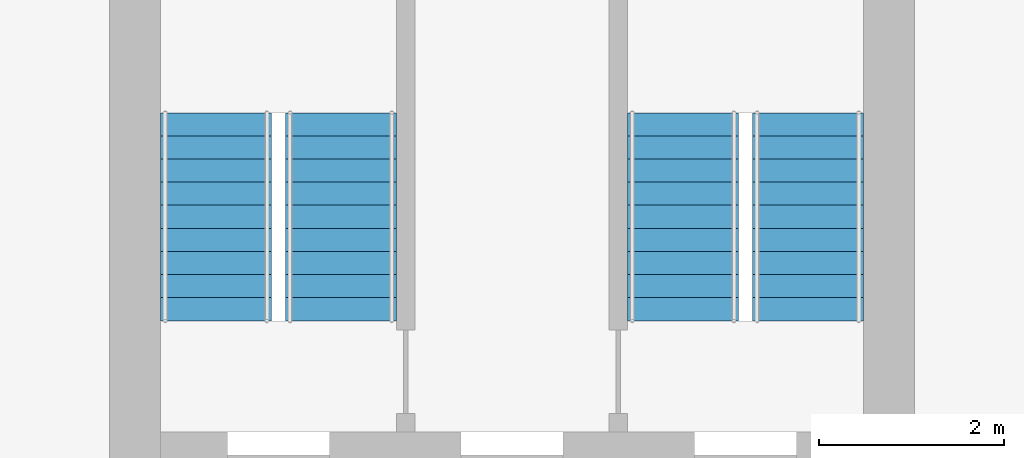
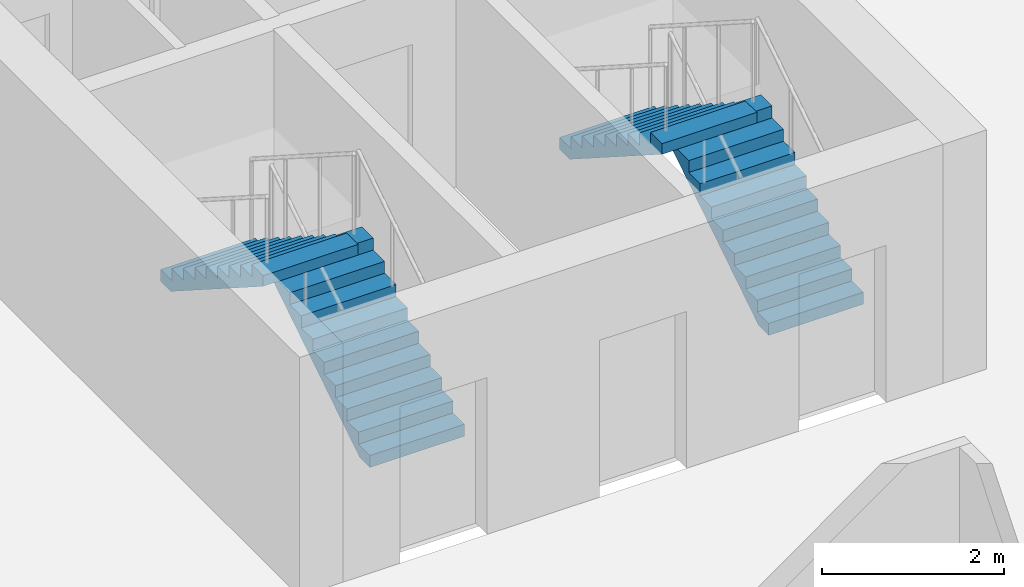
# One storey, part 10 of 13: 4 stair flights, 2 elements without a shape of their own.
"""IFC4 building model written with IfcOpenShell, lengths in metres."""

import ifcopenshell
import ifcopenshell.guid

model = None  # the IFC model being written
_history = None  # IfcOwnerHistory: only IFC2X3 demands one
_inside = {}  # id of a spatial element -> (the spatial element, [elements in it])
_under = {}  # id of a project, library or spatial element -> (it, [spatial elements below it])
_declared = {}  # id of a project -> (the project, [libraries it declares])
_typed = {}  # id of a type object -> (the type object, [elements of that type])
_made_of = {}  # id of a material, layer set ... -> (it, [elements and type objects made of it])


def new_model(schema):
    """Start an empty IFC model of exactly this schema.

    Asked for "IFC4X3", IfcOpenShell would pick the latest addendum, in which some entities
    have other attributes; the version numbers below select the first issue.
    IFC2X3 requires an IfcOwnerHistory on every rooted entity: one is made here for all.
    """
    global model, _history
    if schema == "IFC4X3":
        model = ifcopenshell.file(schema_version=(4, 3, 0, 0))
    else:
        model = ifcopenshell.file(schema=schema)
    _inside.clear()
    _under.clear()
    _declared.clear()
    _typed.clear()
    _made_of.clear()
    _history = None
    if model.schema == "IFC2X3":
        org = make("IfcOrganization", Name="unknown")
        user = make(
            "IfcPersonAndOrganization",
            ThePerson=make("IfcPerson", FamilyName="unknown"),
            TheOrganization=org,
        )
        app = make(
            "IfcApplication",
            ApplicationDeveloper=org,
            Version="unknown",
            ApplicationFullName="unknown",
            ApplicationIdentifier="unknown",
        )
        _history = make(
            "IfcOwnerHistory",
            OwningUser=user,
            OwningApplication=app,
            ChangeAction="ADDED",
            CreationDate=0,
        )
    return model


def make(cls, **values):
    """One entity of the class cls with the attributes given. An attribute that is None is left unset."""
    return model.create_entity(
        cls, **{name: value for name, value in values.items() if value is not None}
    )


def rooted(cls, **values):
    """An entity with a GlobalId (a new one), such as an element, a storey or a relation."""
    return make(cls, GlobalId=ifcopenshell.guid.new(), OwnerHistory=_history, **values)


def si_unit(unit_type, name, prefix=None):
    """IfcSIUnit, for example si_unit("LENGTHUNIT", "METRE", prefix="MILLI")."""
    return make("IfcSIUnit", UnitType=unit_type, Prefix=prefix, Name=name)


def assignment(units):
    """IfcUnitAssignment: the units of a project."""
    return None if units is None else make("IfcUnitAssignment", Units=units)


def point(xyz):
    """IfcCartesianPoint."""
    return None if xyz is None else make("IfcCartesianPoint", Coordinates=xyz)


def direction(xyz):
    """IfcDirection."""
    return None if xyz is None else make("IfcDirection", DirectionRatios=xyz)


def frame(location, z_axis=None, x_axis=None):
    """IfcAxis2Placement3D, a coordinate frame: its origin and axes. An axis left out is left unset."""
    return make(
        "IfcAxis2Placement3D",
        Location=point(location),
        Axis=direction(z_axis),
        RefDirection=direction(x_axis),
    )


def origin():
    """The frame at (0, 0, 0) with its axes left unset."""
    return frame((0.0, 0.0, 0.0))


def place(relative_to, where):
    """IfcLocalPlacement: puts the frame where relative to a parent placement (None: the world)."""
    return make(
        "IfcLocalPlacement", PlacementRelTo=relative_to, RelativePlacement=where
    )


def context(
    kind, dimensions, precision=None, world=None, true_north=None, identifier=None
):
    """IfcGeometricRepresentationContext, for example the 3D "Model" context."""
    return make(
        "IfcGeometricRepresentationContext",
        ContextIdentifier=identifier,
        ContextType=kind,
        CoordinateSpaceDimension=dimensions,
        Precision=precision,
        WorldCoordinateSystem=world,
        TrueNorth=true_north,
    )


def subcontext(parent, identifier, kind, view, scale=None):
    """IfcGeometricRepresentationSubContext, for example "Body" below "Model"."""
    return make(
        "IfcGeometricRepresentationSubContext",
        ContextIdentifier=identifier,
        ContextType=kind,
        ParentContext=parent,
        TargetScale=scale,
        TargetView=view,
    )


def project(units=None, contexts=None):
    """IfcProject with its units and contexts."""
    return rooted(
        "IfcProject",
        Name="project",
        RepresentationContexts=contexts,
        UnitsInContext=assignment(units),
    )


def spatial(cls, under=None, at=None, **own):
    """A site, building, storey or space (cls), placed at a placement, below another one or the project."""
    s = rooted(cls, ObjectPlacement=at, **own)
    if under is not None:
        _under.setdefault(under.id(), (under, []))[1].append(s)
    return s


def polyline(points):
    """IfcPolyline through the points."""
    return make("IfcPolyline", Points=[point(p) for p in points])


def outline(outer, holes=None, kind="AREA"):
    """IfcArbitraryClosedProfileDef: a profile drawn as a closed curve; with holes, ...WithVoids."""
    if holes is None:
        return make("IfcArbitraryClosedProfileDef", ProfileType=kind, OuterCurve=outer)
    return make(
        "IfcArbitraryProfileDefWithVoids",
        ProfileType=kind,
        OuterCurve=outer,
        InnerCurves=holes,
    )


def extrude(swept, where, along, depth):
    """IfcExtrudedAreaSolid: the profile swept, set in the frame where, extruded along a direction by depth."""
    return make(
        "IfcExtrudedAreaSolid",
        SweptArea=swept,
        Position=where,
        ExtrudedDirection=direction(along),
        Depth=depth,
    )


def shape(context_of_items, identifier, shape_type, items):
    """IfcShapeRepresentation: the items that make up one representation, for example the "Body"."""
    return make(
        "IfcShapeRepresentation",
        ContextOfItems=context_of_items,
        RepresentationIdentifier=identifier,
        RepresentationType=shape_type,
        Items=items,
    )


def material(Name=None, Category=None):
    """IfcMaterial."""
    return make("IfcMaterial", Name=Name, Category=Category)


def made_of(thing, what):
    """Note that an element or type object is made of a material, layer set ...; save() writes the relation."""
    if what is not None:
        _made_of.setdefault(what.id(), (what, []))[1].append(thing)
    return thing


def type_object(cls, material=None, **own):
    """A type object (cls), such as IfcWallType, which elements share."""
    return made_of(rooted(cls, **own), material)


def element(
    cls,
    number,
    at=None,
    inside=None,
    cuts=None,
    type_object=None,
    material=None,
    context=None,
    identifier="Body",
    shape_type=None,
    held_by="IfcProductDefinitionShape",
    body=None,
    shapes=None,
    **own,
):
    """One element of the class cls, such as IfcWall. Its Tag is "e" and its number.

    at: its placement. inside: the storey or other place that contains it. cuts: it is an
    opening in that element (IfcRelVoidsElement). A single representation is given by context,
    identifier, shape_type and body (its items); several are given by shapes. held_by: the class
    of the entity that holds the representations. save() writes the other relations.
    """
    e = rooted(cls, Tag="e%d" % number, ObjectPlacement=at, **own)
    if body is not None:
        shapes = [shape(context, identifier, shape_type, body)]
    if shapes is not None:
        e.Representation = make(held_by, Representations=shapes)
    if inside is not None:
        _inside.setdefault(inside.id(), (inside, []))[1].append(e)
    if cuts is not None:
        rooted(
            "IfcRelVoidsElement", RelatingBuildingElement=cuts, RelatedOpeningElement=e
        )
    if type_object is not None:
        _typed.setdefault(type_object.id(), (type_object, []))[1].append(e)
    return made_of(e, material)


def aggregate(whole, parts):
    """IfcRelAggregates: a whole, such as a stair, and the parts it consists of."""
    return rooted("IfcRelAggregates", RelatingObject=whole, RelatedObjects=parts)


def save(model, path):
    """Write the relations noted so far, then the file.

    IfcRelAggregates (storeys below a building ...), IfcRelContainedInSpatialStructure (elements
    in a storey), IfcRelDefinesByType, IfcRelAssociatesMaterial and IfcRelDeclares: one each for
    every whole, place, type object, material and project.
    """
    for whole, parts in _under.values():
        aggregate(whole, parts)
    for where, things in _inside.values():
        rooted(
            "IfcRelContainedInSpatialStructure",
            RelatedElements=things,
            RelatingStructure=where,
        )
    for kind, things in _typed.values():
        rooted("IfcRelDefinesByType", RelatedObjects=things, RelatingType=kind)
    for what, things in _made_of.values():
        rooted("IfcRelAssociatesMaterial", RelatedObjects=things, RelatingMaterial=what)
    for by, libraries in _declared.values():
        rooted("IfcRelDeclares", RelatingContext=by, RelatedDefinitions=libraries)
    model.write(path)


model = new_model("IFC4")

# Units and contexts
model_context = context("Model", 3, precision=1e-05, world=origin(), true_north=direction((0.0, 1.0)))
body_context = subcontext(model_context, "Body", "Model", "MODEL_VIEW")
ifc_project = project(units=[si_unit("LENGTHUNIT", "METRE"), si_unit("AREAUNIT", "SQUARE_METRE"), si_unit("VOLUMEUNIT", "CUBIC_METRE"), si_unit("PLANEANGLEUNIT", "RADIAN"), si_unit("MASSUNIT", "GRAM", prefix="KILO")], contexts=[model_context])

# Site, building, storey
site_placement = place(None, origin())
site = spatial("IfcSite", under=ifc_project, at=site_placement, CompositionType="ELEMENT")
building_placement = place(site_placement, origin())
building = spatial("IfcBuilding", under=site, at=building_placement, Name="Girih Gate Residences", CompositionType="ELEMENT")
storey_placement = place(building_placement, frame((0.0, 0.0, 96.0)))
storey = spatial("IfcBuildingStorey", under=building, at=storey_placement, Name="L26", CompositionType="ELEMENT", Elevation=96.0)

# Stair, stair flights
ifc_material = material(Name="Concrete C40/50", Category="concrete")
stair_type = type_object("IfcStairType", Name="Exit stair", PredefinedType="HALF_TURN_STAIR", material=ifc_material)
stair_1_placement = place(storey_placement, origin())
stair_1 = element("IfcStair", 1, at=stair_1_placement, inside=storey, type_object=stair_type, Name="L26 Exit Stair ST-E1", PredefinedType="HALF_TURN_STAIR")
stair_flight_type = type_object("IfcStairFlightType", Name="Stair flight 1200", PredefinedType="STRAIGHT", material=ifc_material)
stair_flight_1_placement = place(storey_placement, frame((43.699951171875, 28.89990234375, 0.0), z_axis=(0.0, 0.0, 1.0), x_axis=(0.0, 1.0, 0.0)))
stair_flight_1 = element("IfcStairFlight", 2, at=stair_flight_1_placement, type_object=stair_flight_type, Name="ST-E1 flight 1", NumberOfRisers=10, NumberOfTreads=9, PredefinedType="STRAIGHT", RiserHeight=0.16, TreadLength=0.25, context=body_context, shape_type="SweptSolid", body=[
    extrude(outline(polyline([(0.0, 0.0), (0.0, 0.159912109375), (0.25, 0.159912109375), (0.25, 0.320068359375), (0.5, 0.320068359375), (0.5, 0.47998046875), (0.75, 0.47998046875), (0.75, 0.639892578125), (1.0, 0.639892578125), (1.0, 0.800048828125), (1.25, 0.800048828125), (1.25, 0.9599609375), (1.5, 0.9599609375), (1.5, 1.1201171875), (1.75, 1.1201171875), (1.75, 1.280029296875), (2.0, 1.280029296875), (2.0, 1.43994140625), (2.25, 1.43994140625), (2.25, 1.60009765625), (2.25, 1.29736328125), (0.222900390625, 0.0), (0.0, 0.0)])), frame((0.0, 0.60009765625, 0.0), z_axis=(0.0, -1.0, 0.0), x_axis=(1.0, 0.0, 0.0)), (0.0, 0.0, 1.0), 1.199951171875),
])
stair_flight_2_placement = place(storey_placement, frame((42.35009765625, 31.14990234375, 1.60009765625), z_axis=(0.0, 0.0, 1.0), x_axis=(0.0, -1.0, 0.0)))
stair_flight_2 = element("IfcStairFlight", 3, at=stair_flight_2_placement, type_object=stair_flight_type, Name="ST-E1 flight 2", NumberOfRisers=10, NumberOfTreads=9, PredefinedType="STRAIGHT", RiserHeight=0.16, TreadLength=0.25, context=body_context, shape_type="SweptSolid", body=[
    extrude(outline(polyline([(0.0, 0.0), (0.0, 0.159912109375), (0.25, 0.159912109375), (0.25, 0.320068359375), (0.5, 0.320068359375), (0.5, 0.47998046875), (0.75, 0.47998046875), (0.75, 0.639892578125), (1.0, 0.639892578125), (1.0, 0.800048828125), (1.25, 0.800048828125), (1.25, 0.9599609375), (1.5, 0.9599609375), (1.5, 1.1201171875), (1.75, 1.1201171875), (1.75, 1.280029296875), (2.0, 1.280029296875), (2.0, 1.43994140625), (2.25, 1.43994140625), (2.25, 1.60009765625), (2.25, 1.29736328125), (0.222900390625, 0.0), (0.0, 0.0)])), frame((0.0, 0.60009765625, 0.0), z_axis=(0.0, -1.0, 0.0), x_axis=(1.0, 0.0, 0.0)), (0.0, 0.0, 1.0), 1.199951171875),
])
aggregate(stair_1, [stair_flight_1, stair_flight_2])

stair_2_placement = place(storey_placement, origin())
stair_2 = element("IfcStair", 4, at=stair_2_placement, inside=storey, type_object=stair_type, Name="L26 Exit Stair ST-E2", PredefinedType="HALF_TURN_STAIR")
stair_flight_3_placement = place(storey_placement, frame((38.64990234375, 28.89990234375, 0.0), z_axis=(0.0, 0.0, 1.0), x_axis=(0.0, 1.0, 0.0)))
stair_flight_3 = element("IfcStairFlight", 5, at=stair_flight_3_placement, type_object=stair_flight_type, Name="ST-E2 flight 1", NumberOfRisers=10, NumberOfTreads=9, PredefinedType="STRAIGHT", RiserHeight=0.16, TreadLength=0.25, context=body_context, shape_type="SweptSolid", body=[
    extrude(outline(polyline([(0.0, 0.0), (0.0, 0.159912109375), (0.25, 0.159912109375), (0.25, 0.320068359375), (0.5, 0.320068359375), (0.5, 0.47998046875), (0.75, 0.47998046875), (0.75, 0.639892578125), (1.0, 0.639892578125), (1.0, 0.800048828125), (1.25, 0.800048828125), (1.25, 0.9599609375), (1.5, 0.9599609375), (1.5, 1.1201171875), (1.75, 1.1201171875), (1.75, 1.280029296875), (2.0, 1.280029296875), (2.0, 1.43994140625), (2.25, 1.43994140625), (2.25, 1.60009765625), (2.25, 1.29736328125), (0.222900390625, 0.0), (0.0, 0.0)])), frame((0.0, 0.60009765625, 0.0), z_axis=(0.0, -1.0, 0.0), x_axis=(1.0, 0.0, 0.0)), (0.0, 0.0, 1.0), 1.199951171875),
])
stair_flight_4_placement = place(storey_placement, frame((37.300048828125, 31.14990234375, 1.60009765625), z_axis=(0.0, 0.0, 1.0), x_axis=(0.0, -1.0, 0.0)))
stair_flight_4 = element("IfcStairFlight", 6, at=stair_flight_4_placement, type_object=stair_flight_type, Name="ST-E2 flight 2", NumberOfRisers=10, NumberOfTreads=9, PredefinedType="STRAIGHT", RiserHeight=0.16, TreadLength=0.25, context=body_context, shape_type="SweptSolid", body=[
    extrude(outline(polyline([(0.0, 0.0), (0.0, 0.159912109375), (0.25, 0.159912109375), (0.25, 0.320068359375), (0.5, 0.320068359375), (0.5, 0.47998046875), (0.75, 0.47998046875), (0.75, 0.639892578125), (1.0, 0.639892578125), (1.0, 0.800048828125), (1.25, 0.800048828125), (1.25, 0.9599609375), (1.5, 0.9599609375), (1.5, 1.1201171875), (1.75, 1.1201171875), (1.75, 1.280029296875), (2.0, 1.280029296875), (2.0, 1.43994140625), (2.25, 1.43994140625), (2.25, 1.60009765625), (2.25, 1.29736328125), (0.222900390625, 0.0), (0.0, 0.0)])), frame((0.0, 0.60009765625, 0.0), z_axis=(0.0, -1.0, 0.0), x_axis=(1.0, 0.0, 0.0)), (0.0, 0.0, 1.0), 1.199951171875),
])
aggregate(stair_2, [stair_flight_3, stair_flight_4])

save(model, "model.ifc")
